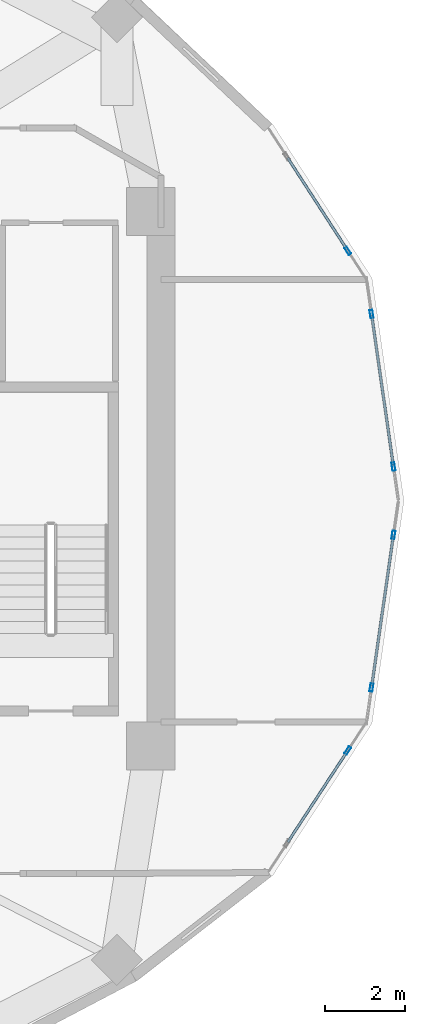
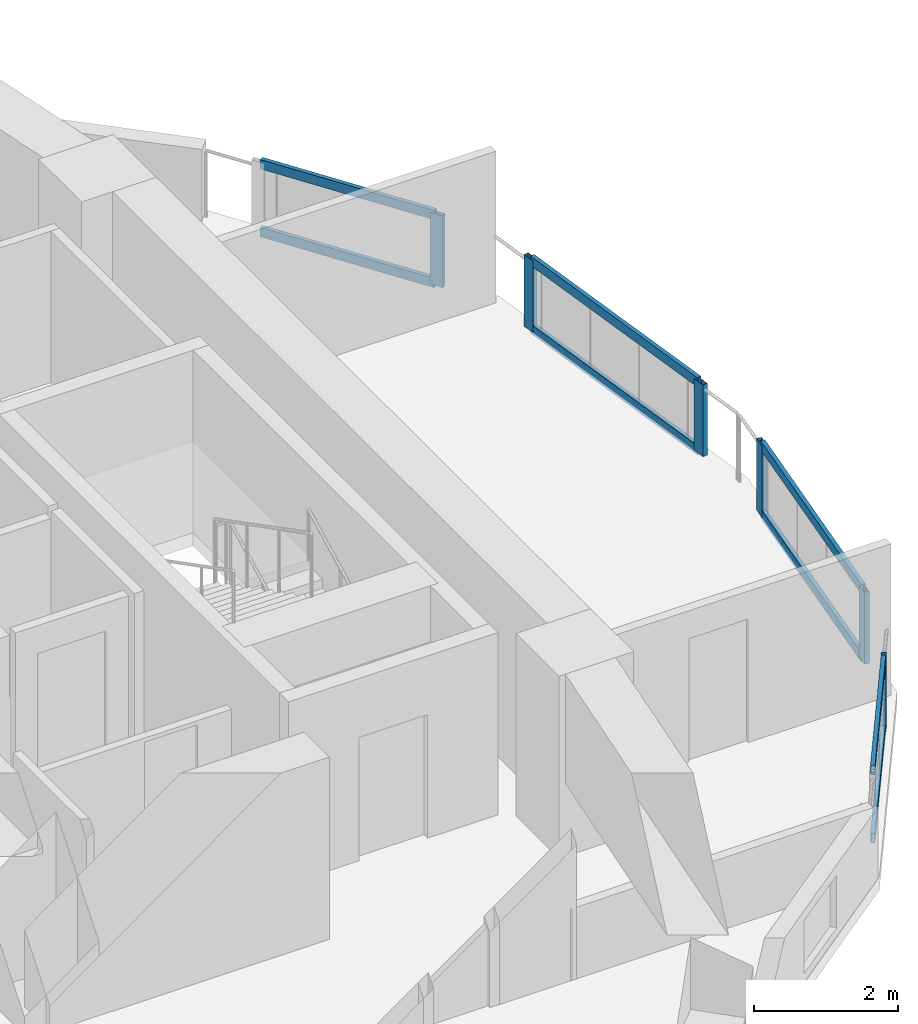
# One storey, part 9 of 20: 14 members, 4 elements without a shape of their own.
"""IFC4 building model written with IfcOpenShell, lengths in metres."""

from ifc_helpers import new_model, si_unit, direction, frame, origin, origin_2d, place, context, subcontext, project, spatial, hollow_rectangle, extrude, material, layer, layer_set, material_profile, profile_set, type_object, element, aggregate, save


model = new_model("IFC4")

# Units and contexts
model_context = context("Model", 3, precision=1e-05, world=origin(), true_north=direction((0.0, 1.0)))
body_context = subcontext(model_context, "Body", "Model", "MODEL_VIEW")
ifc_project = project(units=[si_unit("LENGTHUNIT", "METRE"), si_unit("AREAUNIT", "SQUARE_METRE"), si_unit("VOLUMEUNIT", "CUBIC_METRE"), si_unit("PLANEANGLEUNIT", "RADIAN"), si_unit("MASSUNIT", "GRAM", prefix="KILO")], contexts=[model_context])

# Site, building, storey
site_placement = place(None, origin())
site = spatial("IfcSite", under=ifc_project, at=site_placement, CompositionType="ELEMENT")
building_placement = place(site_placement, origin())
building = spatial("IfcBuilding", under=site, at=building_placement, Name="Solvane Sanctuary Tower", CompositionType="ELEMENT")
storey_placement = place(building_placement, frame((0.0, 0.0, 159.10009765625)))
storey = spatial("IfcBuildingStorey", under=building, at=storey_placement, Name="L48", CompositionType="ELEMENT", Elevation=159.10009765625)

# Curtain wall, members
ifc_material = material(Name="Anodised Aluminium 6063-T6", Category="aluminium")
ifc_layer = layer(ifc_material, 0.2099609375, Name="Anodised Aluminium 6063-T6")
ifc_layer_set = layer_set([ifc_layer], Name="Anodised Aluminium 6063-T6")
curtain_wall_type = type_object("IfcCurtainWallType", Name="Curtain Wall CW-PORTAL", PredefinedType="NOTDEFINED", material=ifc_layer_set)
curtain_wall_1_placement = place(storey_placement, origin())
curtain_wall_1 = element("IfcCurtainWall", 1, at=curtain_wall_1_placement, inside=storey, type_object=curtain_wall_type, Name="L48 CW-PORTAL Facade Run 00", PredefinedType="NOTDEFINED")
ifc_material_profile_1 = material_profile(ifc_material, hollow_rectangle(XDim=0.074951171875, YDim=0.199951171875, WallThickness=0.00390625, at=origin_2d()), Name="ALU200X75X4")
ifc_profile_set_1 = profile_set([ifc_material_profile_1], Name="Anodised Aluminium 6063-T6")
member_type_1 = type_object("IfcMemberType", Name="Member M-CW-MUL-1 ALU200X75X4", PredefinedType="MULLION", material=ifc_profile_set_1)
member_1_placement = place(storey_placement, frame((54.738037109375, 23.848876953125, 0.0), z_axis=(0.0, 0.0, 1.0), x_axis=(-0.989831077342, -0.142247806053, 0.0)))
member_1 = element("IfcMember", 2, at=member_1_placement, type_object=member_type_1, Name="CW-PORTAL mullion 1", PredefinedType="MULLION", context=body_context, shape_type="SweptSolid", body=[
    extrude(hollow_rectangle(XDim=0.074951171875, YDim=0.199951171875, WallThickness=0.00390625, at=origin_2d()), origin(), (0.0, 0.0, 1.0), 1.219970703125),
])
member_2_placement = place(storey_placement, frame((54.192138671875, 27.647705078125, 0.0), z_axis=(0.0, 0.0, 1.0), x_axis=(-0.989831077342, -0.142247806053, 0.0)))
member_2 = element("IfcMember", 3, at=member_2_placement, type_object=member_type_1, Name="CW-PORTAL mullion 2", PredefinedType="MULLION", context=body_context, shape_type="SweptSolid", body=[
    extrude(hollow_rectangle(XDim=0.074951171875, YDim=0.199951171875, WallThickness=0.00390625, at=origin_2d()), origin(), (0.0, 0.0, 1.0), 1.219970703125),
])

# Curtain wall, member
curtain_wall_2_placement = place(storey_placement, origin())
curtain_wall_2 = element("IfcCurtainWall", 4, at=curtain_wall_2_placement, inside=storey, type_object=curtain_wall_type, Name="L48 CW-PORTAL Facade Run 01", PredefinedType="NOTDEFINED")
member_3_placement = place(storey_placement, frame((53.604248046875, 29.21630859375, 0.0), z_axis=(0.0, 0.0, 1.0), x_axis=(-0.839512220128, -0.543340806728, 0.0)))
member_3 = element("IfcMember", 5, at=member_3_placement, type_object=member_type_1, Name="CW-PORTAL mullion 1", PredefinedType="MULLION", context=body_context, shape_type="SweptSolid", body=[
    extrude(hollow_rectangle(XDim=0.074951171875, YDim=0.199951171875, WallThickness=0.00390625, at=origin_2d()), origin(), (0.0, 0.0, 1.0), 1.219970703125),
])

curtain_wall_3_placement = place(storey_placement, origin())
curtain_wall_3 = element("IfcCurtainWall", 6, at=curtain_wall_3_placement, inside=storey, type_object=curtain_wall_type, Name="L48 CW-PORTAL Facade Run 22", PredefinedType="NOTDEFINED")
member_4_placement = place(storey_placement, frame((53.600830078125, 16.785888671875, 0.0), z_axis=(0.0, 0.0, 1.0), x_axis=(-0.836849767027, 0.547432614507, 0.0)))
member_4 = element("IfcMember", 7, at=member_4_placement, type_object=member_type_1, Name="CW-PORTAL mullion 2", PredefinedType="MULLION", context=body_context, shape_type="SweptSolid", body=[
    extrude(hollow_rectangle(XDim=0.074951171875, YDim=0.199951171875, WallThickness=0.00390625, at=origin_2d()), origin(), (0.0, 0.0, 1.0), 1.219970703125),
])

# Curtain wall, members
curtain_wall_4_placement = place(storey_placement, origin())
curtain_wall_4 = element("IfcCurtainWall", 8, at=curtain_wall_4_placement, inside=storey, type_object=curtain_wall_type, Name="L48 CW-PORTAL Facade Run 23", PredefinedType="NOTDEFINED")
member_5_placement = place(storey_placement, frame((54.192138671875, 18.352294921875, 0.0), z_axis=(0.0, 0.0, 1.0), x_axis=(-0.989831077342, 0.142247806053, 0.0)))
member_5 = element("IfcMember", 9, at=member_5_placement, type_object=member_type_1, Name="CW-PORTAL mullion 1", PredefinedType="MULLION", context=body_context, shape_type="SweptSolid", body=[
    extrude(hollow_rectangle(XDim=0.074951171875, YDim=0.199951171875, WallThickness=0.00390625, at=origin_2d()), origin(), (0.0, 0.0, 1.0), 1.219970703125),
])
member_6_placement = place(storey_placement, frame((54.738037109375, 22.151123046875, 0.0), z_axis=(0.0, 0.0, 1.0), x_axis=(-0.989831077342, 0.142247806053, 0.0)))
member_6 = element("IfcMember", 10, at=member_6_placement, type_object=member_type_1, Name="CW-PORTAL mullion 2", PredefinedType="MULLION", context=body_context, shape_type="SweptSolid", body=[
    extrude(hollow_rectangle(XDim=0.074951171875, YDim=0.199951171875, WallThickness=0.00390625, at=origin_2d()), origin(), (0.0, 0.0, 1.0), 1.219970703125),
])

# Member
ifc_material_profile_2 = material_profile(ifc_material, hollow_rectangle(XDim=0.06494140625, YDim=0.159912109375, WallThickness=0.00341796875, at=origin_2d()), Name="ALU160X65X3.5")
ifc_profile_set_2 = profile_set([ifc_material_profile_2], Name="Anodised Aluminium 6063-T6")
member_type_2 = type_object("IfcMemberType", Name="Member M-CW-TRN-1 ALU160X65X3.5", PredefinedType="USERDEFINED", material=ifc_profile_set_2)
member_7_placement = place(storey_placement, frame((54.732666015625, 23.885986328125, 0.032470703125), z_axis=(-0.142220652488, 0.989834979179, 0.0), x_axis=(-0.989834979179, -0.142220652488, 0.0)))
member_7 = element("IfcMember", 11, at=member_7_placement, type_object=member_type_2, Name="CW-PORTAL transom 1.1", ObjectType="TRANSOM", PredefinedType="USERDEFINED", context=body_context, shape_type="SweptSolid", body=[
    extrude(hollow_rectangle(XDim=0.06494140625, YDim=0.159912109375, WallThickness=0.00341796875, at=origin_2d()), origin(), (0.0, 0.0, 1.0), 3.762939453125),
])

member_8_placement = place(storey_placement, frame((54.732666015625, 23.885986328125, 1.1875), z_axis=(-0.142220652488, 0.989834979179, 0.0), x_axis=(-0.989834979179, -0.142220652488, 0.0)))
member_8 = element("IfcMember", 12, at=member_8_placement, type_object=member_type_2, Name="CW-PORTAL transom 1.2", ObjectType="TRANSOM", PredefinedType="USERDEFINED", context=body_context, shape_type="SweptSolid", body=[
    extrude(hollow_rectangle(XDim=0.06494140625, YDim=0.159912109375, WallThickness=0.00341796875, at=origin_2d()), origin(), (0.0, 0.0, 1.0), 3.762939453125),
])

aggregate(curtain_wall_1, [member_1, member_2, member_7, member_8])

member_9_placement = place(storey_placement, frame((53.583984375, 29.247802734375, 0.032470703125), z_axis=(-0.543303354551, 0.83953645837, 0.0), x_axis=(-0.83953645837, -0.543303354551, 0.0)))
member_9 = element("IfcMember", 13, at=member_9_placement, type_object=member_type_2, Name="CW-PORTAL transom 1.1", ObjectType="TRANSOM", PredefinedType="USERDEFINED", context=body_context, shape_type="SweptSolid", body=[
    extrude(hollow_rectangle(XDim=0.06494140625, YDim=0.159912109375, WallThickness=0.00341796875, at=origin_2d()), origin(), (0.0, 0.0, 1.0), 2.721435546875),
])

member_10_placement = place(storey_placement, frame((53.583984375, 29.247802734375, 1.1875), z_axis=(-0.543303354551, 0.83953645837, 0.0), x_axis=(-0.83953645837, -0.543303354551, 0.0)))
member_10 = element("IfcMember", 14, at=member_10_placement, type_object=member_type_2, Name="CW-PORTAL transom 1.2", ObjectType="TRANSOM", PredefinedType="USERDEFINED", context=body_context, shape_type="SweptSolid", body=[
    extrude(hollow_rectangle(XDim=0.06494140625, YDim=0.159912109375, WallThickness=0.00341796875, at=origin_2d()), origin(), (0.0, 0.0, 1.0), 2.721435546875),
])

aggregate(curtain_wall_2, [member_3, member_9, member_10])

member_11_placement = place(storey_placement, frame((52.109130859375, 14.505615234375, 0.032470703125), z_axis=(0.547425578681, 0.836854369533, 0.0), x_axis=(-0.836854369533, 0.547425578681, 0.0)))
member_11 = element("IfcMember", 15, at=member_11_placement, type_object=member_type_2, Name="CW-PORTAL transom 1.1", ObjectType="TRANSOM", PredefinedType="USERDEFINED", context=body_context, shape_type="SweptSolid", body=[
    extrude(hollow_rectangle(XDim=0.06494140625, YDim=0.159912109375, WallThickness=0.00341796875, at=origin_2d()), origin(), (0.0, 0.0, 1.0), 2.6875),
])

member_12_placement = place(storey_placement, frame((52.109130859375, 14.505615234375, 1.1875), z_axis=(0.547425578681, 0.836854369533, 0.0), x_axis=(-0.836854369533, 0.547425578681, 0.0)))
member_12 = element("IfcMember", 16, at=member_12_placement, type_object=member_type_2, Name="CW-PORTAL transom 1.2", ObjectType="TRANSOM", PredefinedType="USERDEFINED", context=body_context, shape_type="SweptSolid", body=[
    extrude(hollow_rectangle(XDim=0.06494140625, YDim=0.159912109375, WallThickness=0.00341796875, at=origin_2d()), origin(), (0.0, 0.0, 1.0), 2.6875),
])

aggregate(curtain_wall_3, [member_4, member_11, member_12])

member_13_placement = place(storey_placement, frame((54.197509765625, 18.389404296875, 0.032470703125), z_axis=(0.142220652488, 0.989834979179, 0.0), x_axis=(-0.989834979179, 0.142220652488, 0.0)))
member_13 = element("IfcMember", 17, at=member_13_placement, type_object=member_type_2, Name="CW-PORTAL transom 1.1", ObjectType="TRANSOM", PredefinedType="USERDEFINED", context=body_context, shape_type="SweptSolid", body=[
    extrude(hollow_rectangle(XDim=0.06494140625, YDim=0.159912109375, WallThickness=0.00341796875, at=origin_2d()), origin(), (0.0, 0.0, 1.0), 3.762939453125),
])

member_14_placement = place(storey_placement, frame((54.197509765625, 18.389404296875, 1.1875), z_axis=(0.142220652488, 0.989834979179, 0.0), x_axis=(-0.989834979179, 0.142220652488, 0.0)))
member_14 = element("IfcMember", 18, at=member_14_placement, type_object=member_type_2, Name="CW-PORTAL transom 1.2", ObjectType="TRANSOM", PredefinedType="USERDEFINED", context=body_context, shape_type="SweptSolid", body=[
    extrude(hollow_rectangle(XDim=0.06494140625, YDim=0.159912109375, WallThickness=0.00341796875, at=origin_2d()), origin(), (0.0, 0.0, 1.0), 3.762939453125),
])

aggregate(curtain_wall_4, [member_5, member_6, member_13, member_14])

save(model, "model.ifc")
